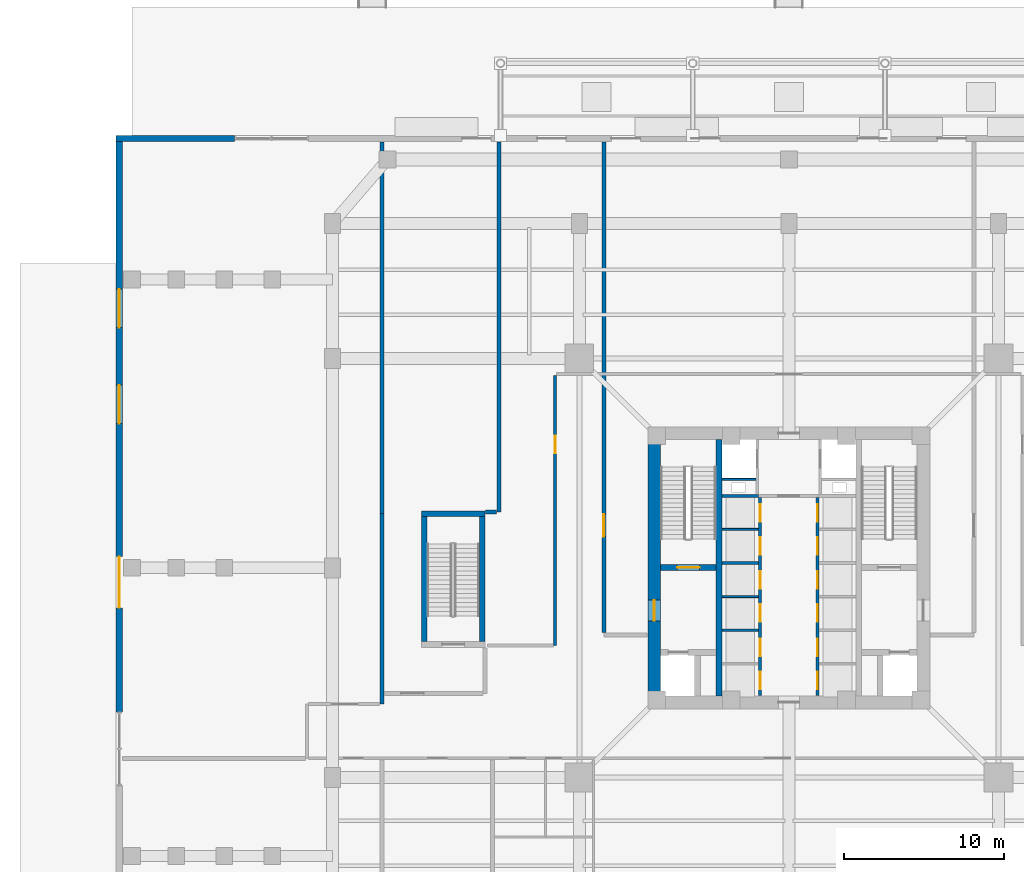
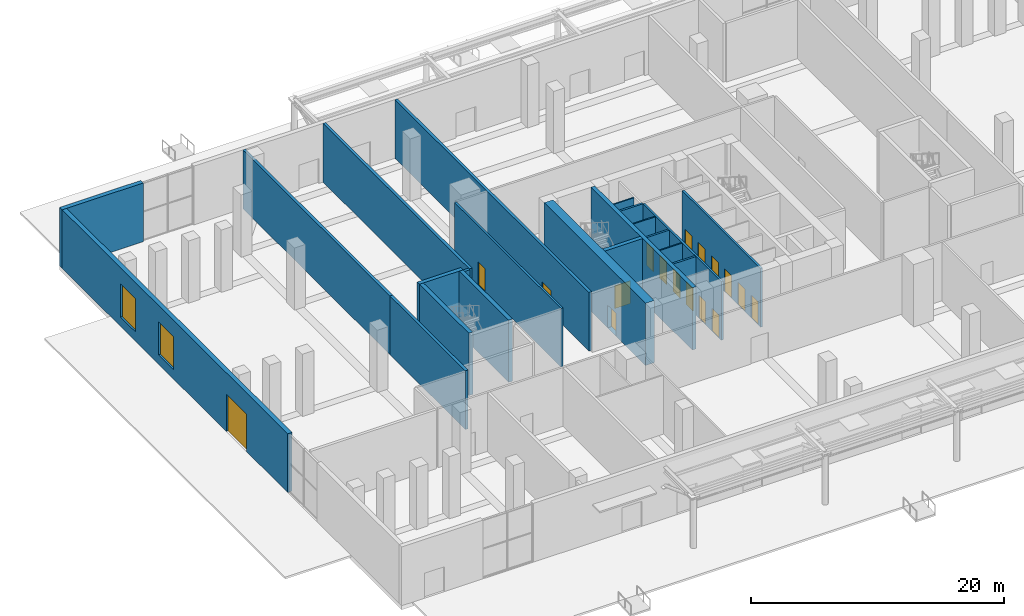
# One storey, part 16 of 25: 22 walls, 17 doors, 2 windows, 19 openings.
"""IFC4 building model written with IfcOpenShell, lengths in metres."""

from ifc_helpers import new_model, si_unit, direction, frame, frame_2d, origin, place, context, subcontext, project, spatial, rectangle, extrude, source, transform, mapped, material, layer, layer_set, type_object, element, fill, save


model = new_model("IFC4")

# Units and contexts
model_context = context("Model", 3, precision=1e-05, world=origin(), true_north=direction((0.0, 1.0)))
body_context = subcontext(model_context, "Body", "Model", "MODEL_VIEW")
ifc_project = project(units=[si_unit("LENGTHUNIT", "METRE"), si_unit("AREAUNIT", "SQUARE_METRE"), si_unit("VOLUMEUNIT", "CUBIC_METRE"), si_unit("PLANEANGLEUNIT", "RADIAN"), si_unit("MASSUNIT", "GRAM", prefix="KILO"), si_unit("THERMODYNAMICTEMPERATUREUNIT", "KELVIN")], contexts=[model_context])

# Site, building, storey
site_placement = place(None, origin())
site = spatial("IfcSite", under=ifc_project, at=site_placement, CompositionType="ELEMENT")
building_placement = place(site_placement, origin())
building = spatial("IfcBuilding", under=site, at=building_placement, Name="Kosmvard Interchange Tower", CompositionType="ELEMENT")
storey_placement = place(building_placement, origin())
storey = spatial("IfcBuildingStorey", under=building, at=storey_placement, Name="L00", CompositionType="ELEMENT", Elevation=0.0)

# Wall, openings, doors
ifc_material_1 = material(Name="Fire-rated gypsum partition system")
ifc_layer_1 = layer(ifc_material_1, 0.179931640625, Name="Fire-rated gypsum partition system")
ifc_layer_set_1 = layer_set([ifc_layer_1], Name="Fire-rated gypsum partition system")
wall_type_1 = type_object("IfcWallType", Name="Corridor & Hotel Compartment Partition 180", PredefinedType="PARTITIONING", material=ifc_layer_set_1)
wall_1_placement = place(storey_placement, frame((-1.7900390625, -7.97998046875, 0.0), z_axis=(0.0, 0.0, 1.0), x_axis=(0.0, 1.0, 0.0)))
wall_1 = element("IfcWall", 1, at=wall_1_placement, inside=storey, type_object=wall_type_1, Name="L00 West Lift Bank Front Wall", PredefinedType="PARTITIONING", context=body_context, shape_type="SweptSolid", body=[
    extrude(rectangle(XDim=12.3798828125, YDim=0.179931640625, at=frame_2d((6.18994140625, 0.0))), origin(), (0.0, 0.0, 1.0), 5.659912109375),
])
opening_1_placement = place(wall_1_placement, frame((0.39990234375, 0.0, 0.0)))
opening_1 = element("IfcOpeningElement", 2, at=opening_1_placement, cuts=wall_1, Name="Opening LD-PL-L1-L00", PredefinedType="OPENING", context=body_context, shape_type="SweptSolid", body=[
    extrude(rectangle(XDim=1.10009765625, YDim=2.199951171875, at=frame_2d((0.550048828125, 1.10009765625))), frame((0.0, 0.10009765625, 0.0), z_axis=(0.0, -1.0, 0.0), x_axis=(1.0, 0.0, 0.0)), (0.0, 0.0, 1.0), 0.199951171875),
])
opening_2_placement = place(wall_1_placement, frame((2.4599609375, 0.0, 0.0)))
opening_2 = element("IfcOpeningElement", 3, at=opening_2_placement, cuts=wall_1, Name="Opening LD-PL-L2-L00", PredefinedType="OPENING", context=body_context, shape_type="SweptSolid", body=[
    extrude(rectangle(XDim=1.10009765625, YDim=2.199951171875, at=frame_2d((0.550048828125, 1.10009765625))), frame((0.0, 0.10009765625, 0.0), z_axis=(0.0, -1.0, 0.0), x_axis=(1.0, 0.0, 0.0)), (0.0, 0.0, 1.0), 0.199951171875),
])
opening_3_placement = place(wall_1_placement, frame((4.60009765625, 0.0, 0.0)))
opening_3 = element("IfcOpeningElement", 4, at=opening_3_placement, cuts=wall_1, Name="Opening LD-PL-M1-L00", PredefinedType="OPENING", context=body_context, shape_type="SweptSolid", body=[
    extrude(rectangle(XDim=1.10009765625, YDim=2.199951171875, at=frame_2d((0.550048828125, 1.10009765625))), frame((0.0, 0.10009765625, 0.0), z_axis=(0.0, -1.0, 0.0), x_axis=(1.0, 0.0, 0.0)), (0.0, 0.0, 1.0), 0.199951171875),
])
opening_4_placement = place(wall_1_placement, frame((6.659912109375, 0.0, 0.0)))
opening_4 = element("IfcOpeningElement", 5, at=opening_4_placement, cuts=wall_1, Name="Opening LD-PL-M2-L00", PredefinedType="OPENING", context=body_context, shape_type="SweptSolid", body=[
    extrude(rectangle(XDim=1.10009765625, YDim=2.199951171875, at=frame_2d((0.550048828125, 1.10009765625))), frame((0.0, 0.10009765625, 0.0), z_axis=(0.0, -1.0, 0.0), x_axis=(1.0, 0.0, 0.0)), (0.0, 0.0, 1.0), 0.199951171875),
])
opening_5_placement = place(wall_1_placement, frame((8.800048828125, 0.0, 0.0)))
opening_5 = element("IfcOpeningElement", 6, at=opening_5_placement, cuts=wall_1, Name="Opening LD-PL-H1-L00", PredefinedType="OPENING", context=body_context, shape_type="SweptSolid", body=[
    extrude(rectangle(XDim=1.10009765625, YDim=2.199951171875, at=frame_2d((0.550048828125, 1.10009765625))), frame((0.0, 0.10009765625, 0.0), z_axis=(0.0, -1.0, 0.0), x_axis=(1.0, 0.0, 0.0)), (0.0, 0.0, 1.0), 0.199951171875),
])
opening_6_placement = place(wall_1_placement, frame((10.860107421875, 0.0, 0.0)))
opening_6 = element("IfcOpeningElement", 7, at=opening_6_placement, cuts=wall_1, Name="Opening LD-PL-H2-L00", PredefinedType="OPENING", context=body_context, shape_type="SweptSolid", body=[
    extrude(rectangle(XDim=1.10009765625, YDim=2.199951171875, at=frame_2d((0.550048828125, 1.10009765625))), frame((0.0, 0.10009765625, 0.0), z_axis=(0.0, -1.0, 0.0), x_axis=(1.0, 0.0, 0.0)), (0.0, 0.0, 1.0), 0.199951171875),
])
ifc_material_2 = material(Name="Brushed stainless steel sliding leaf", Category="steel")
door_type_1 = type_object("IfcDoorType", Name="Passenger Lift Sliding Landing Door 1100x2200 EI60", OperationType="DOUBLE_DOOR_SLIDING", PredefinedType="DOOR", material=ifc_material_2)
shared_shape_1 = source(origin(), body_context, "Body", "SweptSolid", [
    extrude(rectangle(XDim=1.10009765625, YDim=2.199951171875, at=frame_2d((0.550048828125, 1.10009765625))), frame((0.0, 0.02490234375, 0.0), z_axis=(0.0, -1.0, 0.0), x_axis=(1.0, 0.0, 0.0)), (0.0, 0.0, 1.0), 0.050048828125),
])
door_1_placement = place(opening_1_placement, frame((1.10009765625, 0.0, 0.0), z_axis=(0.0, 0.0, 1.0), x_axis=(-1.0, 0.0, 0.0)))
door_1 = element("IfcDoor", 8, at=door_1_placement, inside=storey, type_object=door_type_1, Name="Lift PL-L1 Landing Door L00", OperationType="DOUBLE_DOOR_SLIDING", OverallHeight=2.199951171875, OverallWidth=1.10009765625, PredefinedType="DOOR", context=body_context, shape_type="MappedRepresentation", body=[
    mapped(shared_shape_1, transform((0.0, 0.0, 0.0), scale=1.0)),
])
fill(opening_1, door_1)
door_2_placement = place(opening_2_placement, frame((1.10009765625, 0.0, 0.0), z_axis=(0.0, 0.0, 1.0), x_axis=(-1.0, 0.0, 0.0)))
door_2 = element("IfcDoor", 9, at=door_2_placement, inside=storey, type_object=door_type_1, Name="Lift PL-L2 Landing Door L00", OperationType="DOUBLE_DOOR_SLIDING", OverallHeight=2.199951171875, OverallWidth=1.10009765625, PredefinedType="DOOR", context=body_context, shape_type="MappedRepresentation", body=[
    mapped(shared_shape_1, transform((0.0, 0.0, 0.0), scale=1.0)),
])
fill(opening_2, door_2)
door_3_placement = place(opening_3_placement, frame((1.10009765625, 0.0, 0.0), z_axis=(0.0, 0.0, 1.0), x_axis=(-1.0, 0.0, 0.0)))
door_3 = element("IfcDoor", 10, at=door_3_placement, inside=storey, type_object=door_type_1, Name="Lift PL-M1 Landing Door L00", OperationType="DOUBLE_DOOR_SLIDING", OverallHeight=2.199951171875, OverallWidth=1.10009765625, PredefinedType="DOOR", context=body_context, shape_type="MappedRepresentation", body=[
    mapped(shared_shape_1, transform((0.0, 0.0, 0.0), scale=1.0)),
])
fill(opening_3, door_3)
door_4_placement = place(opening_4_placement, frame((1.10009765625, 0.0, 0.0), z_axis=(0.0, 0.0, 1.0), x_axis=(-1.0, 0.0, 0.0)))
door_4 = element("IfcDoor", 11, at=door_4_placement, inside=storey, type_object=door_type_1, Name="Lift PL-M2 Landing Door L00", OperationType="DOUBLE_DOOR_SLIDING", OverallHeight=2.199951171875, OverallWidth=1.10009765625, PredefinedType="DOOR", context=body_context, shape_type="MappedRepresentation", body=[
    mapped(shared_shape_1, transform((0.0, 0.0, 0.0), scale=1.0)),
])
fill(opening_4, door_4)
door_5_placement = place(opening_5_placement, frame((1.10009765625, 0.0, 0.0), z_axis=(0.0, 0.0, 1.0), x_axis=(-1.0, 0.0, 0.0)))
door_5 = element("IfcDoor", 12, at=door_5_placement, inside=storey, type_object=door_type_1, Name="Lift PL-H1 Landing Door L00", OperationType="DOUBLE_DOOR_SLIDING", OverallHeight=2.199951171875, OverallWidth=1.10009765625, PredefinedType="DOOR", context=body_context, shape_type="MappedRepresentation", body=[
    mapped(shared_shape_1, transform((0.0, 0.0, 0.0), scale=1.0)),
])
fill(opening_5, door_5)
door_6_placement = place(opening_6_placement, frame((1.10009765625, 0.0, 0.0), z_axis=(0.0, 0.0, 1.0), x_axis=(-1.0, 0.0, 0.0)))
door_6 = element("IfcDoor", 13, at=door_6_placement, inside=storey, type_object=door_type_1, Name="Lift PL-H2 Landing Door L00", OperationType="DOUBLE_DOOR_SLIDING", OverallHeight=2.199951171875, OverallWidth=1.10009765625, PredefinedType="DOOR", context=body_context, shape_type="MappedRepresentation", body=[
    mapped(shared_shape_1, transform((0.0, 0.0, 0.0), scale=1.0)),
])
fill(opening_6, door_6)

wall_2_placement = place(storey_placement, frame((1.7900390625, -7.97998046875, 0.0), z_axis=(0.0, 0.0, 1.0), x_axis=(0.0, 1.0, 0.0)))
wall_2 = element("IfcWall", 14, at=wall_2_placement, inside=storey, type_object=wall_type_1, Name="L00 East Lift Bank Front Wall", PredefinedType="PARTITIONING", context=body_context, shape_type="SweptSolid", body=[
    extrude(rectangle(XDim=12.3798828125, YDim=0.179931640625, at=frame_2d((6.18994140625, 0.0))), origin(), (0.0, 0.0, 1.0), 5.659912109375),
])
opening_7_placement = place(wall_2_placement, frame((0.39990234375, 0.0, 0.0)))
opening_7 = element("IfcOpeningElement", 15, at=opening_7_placement, cuts=wall_2, Name="Opening LD-PL-L3-L00", PredefinedType="OPENING", context=body_context, shape_type="SweptSolid", body=[
    extrude(rectangle(XDim=1.10009765625, YDim=2.199951171875, at=frame_2d((0.550048828125, 1.10009765625))), frame((0.0, 0.10009765625, 0.0), z_axis=(0.0, -1.0, 0.0), x_axis=(1.0, 0.0, 0.0)), (0.0, 0.0, 1.0), 0.199951171875),
])
opening_8_placement = place(wall_2_placement, frame((2.4599609375, 0.0, 0.0)))
opening_8 = element("IfcOpeningElement", 16, at=opening_8_placement, cuts=wall_2, Name="Opening LD-PL-L4-L00", PredefinedType="OPENING", context=body_context, shape_type="SweptSolid", body=[
    extrude(rectangle(XDim=1.10009765625, YDim=2.199951171875, at=frame_2d((0.550048828125, 1.10009765625))), frame((0.0, 0.10009765625, 0.0), z_axis=(0.0, -1.0, 0.0), x_axis=(1.0, 0.0, 0.0)), (0.0, 0.0, 1.0), 0.199951171875),
])
opening_9_placement = place(wall_2_placement, frame((4.60009765625, 0.0, 0.0)))
opening_9 = element("IfcOpeningElement", 17, at=opening_9_placement, cuts=wall_2, Name="Opening LD-PL-M3-L00", PredefinedType="OPENING", context=body_context, shape_type="SweptSolid", body=[
    extrude(rectangle(XDim=1.10009765625, YDim=2.199951171875, at=frame_2d((0.550048828125, 1.10009765625))), frame((0.0, 0.10009765625, 0.0), z_axis=(0.0, -1.0, 0.0), x_axis=(1.0, 0.0, 0.0)), (0.0, 0.0, 1.0), 0.199951171875),
])
opening_10_placement = place(wall_2_placement, frame((6.659912109375, 0.0, 0.0)))
opening_10 = element("IfcOpeningElement", 18, at=opening_10_placement, cuts=wall_2, Name="Opening LD-PL-M4-L00", PredefinedType="OPENING", context=body_context, shape_type="SweptSolid", body=[
    extrude(rectangle(XDim=1.10009765625, YDim=2.199951171875, at=frame_2d((0.550048828125, 1.10009765625))), frame((0.0, 0.10009765625, 0.0), z_axis=(0.0, -1.0, 0.0), x_axis=(1.0, 0.0, 0.0)), (0.0, 0.0, 1.0), 0.199951171875),
])
opening_11_placement = place(wall_2_placement, frame((8.800048828125, 0.0, 0.0)))
opening_11 = element("IfcOpeningElement", 19, at=opening_11_placement, cuts=wall_2, Name="Opening LD-PL-H3-L00", PredefinedType="OPENING", context=body_context, shape_type="SweptSolid", body=[
    extrude(rectangle(XDim=1.10009765625, YDim=2.199951171875, at=frame_2d((0.550048828125, 1.10009765625))), frame((0.0, 0.10009765625, 0.0), z_axis=(0.0, -1.0, 0.0), x_axis=(1.0, 0.0, 0.0)), (0.0, 0.0, 1.0), 0.199951171875),
])
opening_12_placement = place(wall_2_placement, frame((10.860107421875, 0.0, 0.0)))
opening_12 = element("IfcOpeningElement", 20, at=opening_12_placement, cuts=wall_2, Name="Opening LD-PL-H4-L00", PredefinedType="OPENING", context=body_context, shape_type="SweptSolid", body=[
    extrude(rectangle(XDim=1.10009765625, YDim=2.199951171875, at=frame_2d((0.550048828125, 1.10009765625))), frame((0.0, 0.10009765625, 0.0), z_axis=(0.0, -1.0, 0.0), x_axis=(1.0, 0.0, 0.0)), (0.0, 0.0, 1.0), 0.199951171875),
])
door_7_placement = place(opening_7_placement, origin())
door_7 = element("IfcDoor", 21, at=door_7_placement, inside=storey, type_object=door_type_1, Name="Lift PL-L3 Landing Door L00", OperationType="DOUBLE_DOOR_SLIDING", OverallHeight=2.199951171875, OverallWidth=1.10009765625, PredefinedType="DOOR", context=body_context, shape_type="MappedRepresentation", body=[
    mapped(shared_shape_1, transform((0.0, 0.0, 0.0), scale=1.0)),
])
fill(opening_7, door_7)
door_8_placement = place(opening_8_placement, origin())
door_8 = element("IfcDoor", 22, at=door_8_placement, inside=storey, type_object=door_type_1, Name="Lift PL-L4 Landing Door L00", OperationType="DOUBLE_DOOR_SLIDING", OverallHeight=2.199951171875, OverallWidth=1.10009765625, PredefinedType="DOOR", context=body_context, shape_type="MappedRepresentation", body=[
    mapped(shared_shape_1, transform((0.0, 0.0, 0.0), scale=1.0)),
])
fill(opening_8, door_8)
door_9_placement = place(opening_9_placement, origin())
door_9 = element("IfcDoor", 23, at=door_9_placement, inside=storey, type_object=door_type_1, Name="Lift PL-M3 Landing Door L00", OperationType="DOUBLE_DOOR_SLIDING", OverallHeight=2.199951171875, OverallWidth=1.10009765625, PredefinedType="DOOR", context=body_context, shape_type="MappedRepresentation", body=[
    mapped(shared_shape_1, transform((0.0, 0.0, 0.0), scale=1.0)),
])
fill(opening_9, door_9)
door_10_placement = place(opening_10_placement, origin())
door_10 = element("IfcDoor", 24, at=door_10_placement, inside=storey, type_object=door_type_1, Name="Lift PL-M4 Landing Door L00", OperationType="DOUBLE_DOOR_SLIDING", OverallHeight=2.199951171875, OverallWidth=1.10009765625, PredefinedType="DOOR", context=body_context, shape_type="MappedRepresentation", body=[
    mapped(shared_shape_1, transform((0.0, 0.0, 0.0), scale=1.0)),
])
fill(opening_10, door_10)
door_11_placement = place(opening_11_placement, origin())
door_11 = element("IfcDoor", 25, at=door_11_placement, inside=storey, type_object=door_type_1, Name="Lift PL-H3 Landing Door L00", OperationType="DOUBLE_DOOR_SLIDING", OverallHeight=2.199951171875, OverallWidth=1.10009765625, PredefinedType="DOOR", context=body_context, shape_type="MappedRepresentation", body=[
    mapped(shared_shape_1, transform((0.0, 0.0, 0.0), scale=1.0)),
])
fill(opening_11, door_11)
door_12_placement = place(opening_12_placement, origin())
door_12 = element("IfcDoor", 26, at=door_12_placement, inside=storey, type_object=door_type_1, Name="Lift PL-H4 Landing Door L00", OperationType="DOUBLE_DOOR_SLIDING", OverallHeight=2.199951171875, OverallWidth=1.10009765625, PredefinedType="DOOR", context=body_context, shape_type="MappedRepresentation", body=[
    mapped(shared_shape_1, transform((0.0, 0.0, 0.0), scale=1.0)),
])
fill(opening_12, door_12)

# Wall, opening, door
wall_3_placement = place(storey_placement, frame((-14.590087890625, -4.860107421875, 0.0), z_axis=(0.0, 0.0, 1.0), x_axis=(0.0, 1.0, 0.0)))
wall_3 = element("IfcWall", 27, at=wall_3_placement, inside=storey, type_object=wall_type_1, Name="L00 Partition W-CLW", PredefinedType="PARTITIONING", context=body_context, shape_type="SweptSolid", body=[
    extrude(rectangle(XDim=16.860107421875, YDim=0.179931640625, at=frame_2d((8.43017578125, 0.0))), origin(), (0.0, 0.0, 1.0), 5.659912109375),
])
opening_13_placement = place(wall_3_placement, frame((12.0, 0.0, 0.0)))
opening_13 = element("IfcOpeningElement", 28, at=opening_13_placement, cuts=wall_3, Name="Opening L00-D11", PredefinedType="OPENING", context=body_context, shape_type="SweptSolid", body=[
    extrude(rectangle(XDim=1.10009765625, YDim=2.199951171875, at=frame_2d((0.550048828125, 1.10009765625))), frame((0.0, 0.10009765625, 0.0), z_axis=(0.0, -1.0, 0.0), x_axis=(1.0, 0.0, 0.0)), (0.0, 0.0, 1.0), 0.199951171875),
])
ifc_material_3 = material(Name="Engineered oak fire-rated timber", Category="wood")
door_type_2 = type_object("IfcDoorType", Name="Office Suite Entrance Door 1100x2200 FD30S", OperationType="NOTDEFINED", PredefinedType="DOOR", material=ifc_material_3)
door_13_placement = place(opening_13_placement, origin())
door_13 = element("IfcDoor", 29, at=door_13_placement, inside=storey, type_object=door_type_2, Name="L00 Interior Door 11", OperationType="SINGLE_SWING_LEFT", OverallHeight=2.199951171875, OverallWidth=1.10009765625, PredefinedType="DOOR", context=body_context, shape_type="MappedRepresentation", body=[
    mapped(shared_shape_1, transform((0.0, 0.0, 0.0), scale=1.0)),
])
fill(opening_13, door_13)

ifc_material_4 = material(Name="Concrete blockwork masonry", Category="masonry")
ifc_layer_2 = layer(ifc_material_4, 0.25, Name="Concrete blockwork masonry")
ifc_layer_set_2 = layer_set([ifc_layer_2], Name="Concrete blockwork masonry")
wall_type_2 = type_object("IfcWallType", Name="Exit Passage & Firefighting Lobby Wall 250", PredefinedType="PARTITIONING", material=ifc_layer_set_2)
wall_4_placement = place(storey_placement, frame((-11.550048828125, -4.050048828125, 0.0), z_axis=(0.0, 0.0, 1.0), x_axis=(0.0, 1.0, 0.0)))
wall_4 = element("IfcWall", 30, at=wall_4_placement, inside=storey, type_object=wall_type_2, Name="L00 Exit Passageway W Wall", PredefinedType="PARTITIONING", context=body_context, shape_type="SweptSolid", body=[
    extrude(rectangle(XDim=30.64794921875, YDim=0.25, at=frame_2d((15.323974609375, 0.0))), origin(), (0.0, 0.0, 1.0), 5.659912109375),
])
opening_14_placement = place(wall_4_placement, frame((6.0, 0.0, 0.0)))
opening_14 = element("IfcOpeningElement", 31, at=opening_14_placement, cuts=wall_4, Name="Opening L00-EPDW", PredefinedType="OPENING", context=body_context, shape_type="SweptSolid", body=[
    extrude(rectangle(XDim=1.39990234375, YDim=2.199951171875, at=frame_2d((0.699951171875, 1.10009765625))), frame((0.0, 0.135009765625, 0.0), z_axis=(0.0, -1.0, 0.0), x_axis=(1.0, 0.0, 0.0)), (0.0, 0.0, 1.0), 0.27001953125),
])
ifc_material_5 = material(Name="Painted fire-rated steel leaf", Category="steel")
door_type_3 = type_object("IfcDoorType", Name="Protected Stair Door 1400x2200 FD60S", OperationType="NOTDEFINED", PredefinedType="DOOR", material=ifc_material_5)
shared_shape_2 = source(origin(), body_context, "Body", "SweptSolid", [
    extrude(rectangle(XDim=1.39990234375, YDim=2.199951171875, at=frame_2d((0.699951171875, 1.10009765625))), frame((0.0, 0.02490234375, 0.0), z_axis=(0.0, -1.0, 0.0), x_axis=(1.0, 0.0, 0.0)), (0.0, 0.0, 1.0), 0.050048828125),
])
door_14_placement = place(opening_14_placement, frame((1.39990234375, 0.0, 0.0), z_axis=(0.0, 0.0, 1.0), x_axis=(-1.0, 0.0, 0.0)))
door_14 = element("IfcDoor", 32, at=door_14_placement, inside=storey, type_object=door_type_3, Name="L00 Concourse to Exit Passageway W Door", OperationType="SINGLE_SWING_LEFT", OverallHeight=2.199951171875, OverallWidth=1.39990234375, PredefinedType="DOOR", context=body_context, shape_type="MappedRepresentation", body=[
    mapped(shared_shape_2, transform((0.0, 0.0, 0.0), scale=1.0)),
])
fill(opening_14, door_14)

# Walls
wall_5_placement = place(storey_placement, frame((-25.39990234375, -8.510009765625, 0.0), z_axis=(0.0, 0.0, 1.0), x_axis=(0.0, 1.0, 0.0)))
element("IfcWall", 33, at=wall_5_placement, inside=storey, type_object=wall_type_2, Name="L00 Partition W-RWS", PredefinedType="PARTITIONING", context=body_context, shape_type="SweptSolid", body=[
    extrude(rectangle(XDim=11.909912109375, YDim=0.25, at=frame_2d((5.955078125, 0.0))), origin(), (0.0, 0.0, 1.0), 5.659912109375),
])
wall_6_placement = place(storey_placement, frame((-25.39990234375, 3.39990234375, 0.0), z_axis=(0.0, 0.0, 1.0), x_axis=(0.0, 1.0, 0.0)))
element("IfcWall", 34, at=wall_6_placement, inside=storey, type_object=wall_type_2, Name="L00 Partition W-RWN", PredefinedType="PARTITIONING", context=body_context, shape_type="SweptSolid", body=[
    extrude(rectangle(XDim=23.197998046875, YDim=0.25, at=frame_2d((11.59912109375, 0.0))), origin(), (0.0, 0.0, 1.0), 5.659912109375),
])
wall_7_placement = place(storey_placement, frame((-18.93994140625, 3.47998046875, 0.0), z_axis=(0.0, 0.0, 1.0), x_axis=(1.0, 0.0, 0.0)))
element("IfcWall", 35, at=wall_7_placement, inside=storey, type_object=wall_type_2, Name="L00 Partition EP3T", PredefinedType="PARTITIONING", context=body_context, shape_type="SweptSolid", body=[
    extrude(rectangle(XDim=0.699951171875, YDim=0.25, at=frame_2d((0.35009765625, 0.0))), origin(), (0.0, 0.0, 1.0), 5.659912109375),
])
wall_8_placement = place(storey_placement, frame((-18.10009765625, 3.47998046875, 0.0), z_axis=(0.0, 0.0, 1.0), x_axis=(0.0, 1.0, 0.0)))
element("IfcWall", 36, at=wall_8_placement, inside=storey, type_object=wall_type_2, Name="L00 Partition EP3N", PredefinedType="PARTITIONING", context=body_context, shape_type="SweptSolid", body=[
    extrude(rectangle(XDim=23.117919921875, YDim=0.25, at=frame_2d((11.55908203125, 0.0))), origin(), (0.0, 0.0, 1.0), 5.659912109375),
])

# Wall, opening, door
ifc_material_6 = material(Name="Concrete C80/95", Category="concrete")
ifc_layer_3 = layer(ifc_material_6, 0.800048828125, Name="Concrete C80/95")
ifc_layer_set_3 = layer_set([ifc_layer_3], Name="Concrete C80/95")
wall_type_3 = type_object("IfcWallType", Name="Lower Core Shear Wall 800 C80/95", PredefinedType="SHEAR", material=ifc_layer_set_3)
wall_9_placement = place(storey_placement, frame((-8.39990234375, -8.0, 0.0), z_axis=(0.0, 0.0, 1.0), x_axis=(0.0, 1.0, 0.0)))
wall_9 = element("IfcWall", 37, at=wall_9_placement, inside=storey, type_object=wall_type_3, Name="L00 Core Shear Wall CW-W", PredefinedType="SHEAR", context=body_context, shape_type="SweptSolid", body=[
    extrude(rectangle(XDim=16.0, YDim=0.800048828125, at=frame_2d((8.0, 0.0))), origin(), (0.0, 0.0, 1.0), 6.0),
])
opening_15_placement = place(wall_9_placement, frame((4.68994140625, 0.0, 0.0)))
opening_15 = element("IfcOpeningElement", 38, at=opening_15_placement, cuts=wall_9, Name="Opening L00-FD1", PredefinedType="OPENING", context=body_context, shape_type="SweptSolid", body=[
    extrude(rectangle(XDim=1.300048828125, YDim=2.199951171875, at=frame_2d((0.64990234375, 1.10009765625))), frame((0.0, 0.41015625, 0.0), z_axis=(0.0, -1.0, 0.0), x_axis=(1.0, 0.0, 0.0)), (0.0, 0.0, 1.0), 0.820068359375),
])
door_type_4 = type_object("IfcDoorType", Name="Firefighting Lobby Door 1300x2200 EI60", OperationType="NOTDEFINED", PredefinedType="DOOR", material=ifc_material_5)
shared_shape_3 = source(origin(), body_context, "Body", "SweptSolid", [
    extrude(rectangle(XDim=1.300048828125, YDim=2.199951171875, at=frame_2d((0.64990234375, 1.10009765625))), frame((0.0, 0.02490234375, 0.0), z_axis=(0.0, -1.0, 0.0), x_axis=(1.0, 0.0, 0.0)), (0.0, 0.0, 1.0), 0.050048828125),
])
door_15_placement = place(opening_15_placement, origin())
door_15 = element("IfcDoor", 39, at=door_15_placement, inside=storey, type_object=door_type_4, Name="L00 Firefighting Lobby West Door", OperationType="SINGLE_SWING_LEFT", OverallHeight=2.199951171875, OverallWidth=1.300048828125, PredefinedType="DOOR", context=body_context, shape_type="MappedRepresentation", body=[
    mapped(shared_shape_3, transform((0.0, 0.0, 0.0), scale=1.0)),
])
fill(opening_15, door_15)

# Wall
ifc_material_7 = material(Name="Precast concrete C45/55", Category="concrete")
ifc_layer_4 = layer(ifc_material_7, 0.39990234375, Name="Precast concrete C45/55")
ifc_layer_set_4 = layer_set([ifc_layer_4], Name="Precast concrete C45/55")
wall_type_4 = type_object("IfcWallType", Name="Podium Precast Stone Pier Wall 400 C45/55", PredefinedType="STANDARD", material=ifc_layer_set_4)
wall_10_placement = place(storey_placement, frame((-42.0, 26.800048828125, 0.0), z_axis=(0.0, 0.0, 1.0), x_axis=(1.0, 0.0, 0.0)))
element("IfcWall", 40, at=wall_10_placement, inside=storey, type_object=wall_type_4, Name="L00 Exterior Precast Wall EW-N1", PredefinedType="STANDARD", context=body_context, shape_type="SweptSolid", body=[
    extrude(rectangle(XDim=7.39990234375, YDim=0.39990234375, at=frame_2d((3.699951171875, 0.0))), origin(), (0.0, 0.0, 1.0), 5.659912109375),
])

# Wall, openings, windows, door
wall_11_placement = place(storey_placement, frame((-41.800048828125, -9.0, 0.0), z_axis=(0.0, 0.0, 1.0), x_axis=(0.0, 1.0, 0.0)))
wall_11 = element("IfcWall", 41, at=wall_11_placement, inside=storey, type_object=wall_type_4, Name="L00 Exterior Precast Wall EW-W2", PredefinedType="STANDARD", context=body_context, shape_type="SweptSolid", body=[
    extrude(rectangle(XDim=35.60009765625, YDim=0.39990234375, at=frame_2d((17.800048828125, 0.0))), origin(), (0.0, 0.0, 1.0), 5.659912109375),
])
opening_16_placement = place(wall_11_placement, frame((18.0, 0.0, 0.89990234375)))
opening_16 = element("IfcOpeningElement", 42, at=opening_16_placement, cuts=wall_11, Name="Opening L00-AW1", PredefinedType="OPENING", context=body_context, shape_type="SweptSolid", body=[
    extrude(rectangle(XDim=2.39990234375, YDim=3.199951171875, at=frame_2d((1.199951171875, 1.60009765625))), frame((0.0, 0.2099609375, 0.0), z_axis=(0.0, -1.0, 0.0), x_axis=(1.0, 0.0, 0.0)), (0.0, 0.0, 1.0), 0.419921875),
])
opening_17_placement = place(wall_11_placement, frame((24.0, 0.0, 0.89990234375)))
opening_17 = element("IfcOpeningElement", 43, at=opening_17_placement, cuts=wall_11, Name="Opening L00-AW2", PredefinedType="OPENING", context=body_context, shape_type="SweptSolid", body=[
    extrude(rectangle(XDim=2.39990234375, YDim=3.199951171875, at=frame_2d((1.199951171875, 1.60009765625))), frame((0.0, 0.2099609375, 0.0), z_axis=(0.0, -1.0, 0.0), x_axis=(1.0, 0.0, 0.0)), (0.0, 0.0, 1.0), 0.419921875),
])
opening_18_placement = place(wall_11_placement, frame((6.5, 0.0, 0.0)))
opening_18 = element("IfcOpeningElement", 44, at=opening_18_placement, cuts=wall_11, Name="Opening GT-06", PredefinedType="OPENING", context=body_context, shape_type="SweptSolid", body=[
    extrude(rectangle(XDim=3.199951171875, YDim=3.60009765625, at=frame_2d((1.60009765625, 1.800048828125))), frame((0.0, 0.2099609375, 0.0), z_axis=(0.0, -1.0, 0.0), x_axis=(1.0, 0.0, 0.0)), (0.0, 0.0, 1.0), 0.419921875),
])
ifc_material_8 = material(Name="Low-E solar-control double glazing", Category="glass")
window_type = type_object("IfcWindowType", Name="Podium Arcade Punched Window 2400x3200", PartitioningType="SINGLE_PANEL", PredefinedType="WINDOW", material=ifc_material_8)
shared_shape_4 = source(origin(), body_context, "Body", "SweptSolid", [
    extrude(rectangle(XDim=2.39990234375, YDim=3.199951171875, at=frame_2d((1.199951171875, 1.60009765625))), frame((0.0, 0.030029296875, 0.0), z_axis=(0.0, -1.0, 0.0), x_axis=(1.0, 0.0, 0.0)), (0.0, 0.0, 1.0), 0.06005859375),
])
window_1_placement = place(opening_16_placement, origin())
window_1 = element("IfcWindow", 45, at=window_1_placement, inside=storey, type_object=window_type, Name="L00 Concourse Arcade Window 1", OverallHeight=3.199951171875, OverallWidth=2.39990234375, PartitioningType="SINGLE_PANEL", PredefinedType="WINDOW", context=body_context, shape_type="MappedRepresentation", body=[
    mapped(shared_shape_4, transform((0.0, 0.0, 0.0), scale=1.0)),
])
fill(opening_16, window_1)
window_2_placement = place(opening_17_placement, origin())
window_2 = element("IfcWindow", 46, at=window_2_placement, inside=storey, type_object=window_type, Name="L00 Concourse Arcade Window 2", OverallHeight=3.199951171875, OverallWidth=2.39990234375, PartitioningType="SINGLE_PANEL", PredefinedType="WINDOW", context=body_context, shape_type="MappedRepresentation", body=[
    mapped(shared_shape_4, transform((0.0, 0.0, 0.0), scale=1.0)),
])
fill(opening_17, window_2)
ifc_material_9 = material(Name="Galvanised insulated steel gate", Category="steel")
door_type_5 = type_object("IfcDoorType", Name="Loading & Plant Bay Service Gate 3200x3600", OperationType="NOTDEFINED", PredefinedType="GATE", material=ifc_material_9)
shared_shape_5 = source(origin(), body_context, "Body", "SweptSolid", [
    extrude(rectangle(XDim=3.199951171875, YDim=3.60009765625, at=frame_2d((1.60009765625, 1.800048828125))), frame((0.0, 0.02490234375, 0.0), z_axis=(0.0, -1.0, 0.0), x_axis=(1.0, 0.0, 0.0)), (0.0, 0.0, 1.0), 0.050048828125),
])
door_16_placement = place(opening_18_placement, origin())
door_16 = element("IfcDoor", 47, at=door_16_placement, inside=storey, type_object=door_type_5, Name="L00 Service Bay Gate 6", OperationType="SINGLE_SWING_RIGHT", OverallHeight=3.60009765625, OverallWidth=3.199951171875, PredefinedType="GATE", context=body_context, shape_type="MappedRepresentation", body=[
    mapped(shared_shape_5, transform((0.0, 0.0, 0.0), scale=1.0)),
])
fill(opening_18, door_16)

# Walls
ifc_layer_5 = layer(ifc_material_4, 0.179931640625, Name="Concrete blockwork masonry")
ifc_layer_set_5 = layer_set([ifc_layer_5], Name="Concrete blockwork masonry")
wall_type_5 = type_object("IfcWallType", Name="Riser & Lift Bank Divider Wall 180", PredefinedType="PARTITIONING", material=ifc_layer_set_5)
for number, where, z_axis, x_axis, name in (
    (48, (-4.169921875, -3.89990234375, 0.0), (0.0, 0.0, 1.0), (1.0, 0.0, 0.0), "L00 West Bank Divider BD1"),
    (49, (-4.169921875, 0.300048828125, 0.0), (0.0, 0.0, 1.0), (1.0, 0.0, 0.0), "L00 West Bank Divider BD2"),
    (50, (-4.169921875, 4.489990234375, 0.0), (0.0, 0.0, 1.0), (1.0, 0.0, 0.0), "L00 West Bank Divider BD3"),
):
    element("IfcWall", number, at=place(storey_placement, frame(where, z_axis=z_axis, x_axis=x_axis)), inside=storey, type_object=wall_type_5, Name=name, PredefinedType="PARTITIONING", context=body_context, shape_type="SweptSolid", body=[
        extrude(rectangle(XDim=2.280029296875, YDim=0.179931640625, at=frame_2d((1.14013671875, 0.0))), origin(), (0.0, 0.0, 1.0), 5.659912109375),
    ])
ifc_material_10 = material(Name="Fire-rated gypsum shaftwall system")
ifc_layer_6 = layer(ifc_material_10, 0.1201171875, Name="Fire-rated gypsum shaftwall system")
ifc_layer_set_6 = layer_set([ifc_layer_6], Name="Fire-rated gypsum shaftwall system")
wall_type_6 = type_object("IfcWallType", Name="Shaft & Riser Fire Partition 120 EI60", PredefinedType="PARTITIONING", material=ifc_layer_set_6)
for number, where, z_axis, x_axis, name in (
    (51, (-4.159912109375, -1.800048828125, 0.0), (0.0, 0.0, 1.0), (1.0, 0.0, 0.0), "L00 Shaft Divider PL-M1"),
    (52, (-4.159912109375, 2.39990234375, 0.0), (0.0, 0.0, 1.0), (1.0, 0.0, 0.0), "L00 Shaft Divider PL-H1"),
):
    element("IfcWall", number, at=place(storey_placement, frame(where, z_axis=z_axis, x_axis=x_axis)), inside=storey, type_object=wall_type_6, Name=name, PredefinedType="PARTITIONING", context=body_context, shape_type="SweptSolid", body=[
        extrude(rectangle(XDim=2.260009765625, YDim=0.1201171875, at=frame_2d((1.1298828125, 0.0))), origin(), (0.0, 0.0, 1.0), 5.659912109375),
    ])
wall_12_placement = place(storey_placement, frame((-4.159912109375, 5.52001953125, 0.0), z_axis=(0.0, 0.0, 1.0), x_axis=(1.0, 0.0, 0.0)))
element("IfcWall", 53, at=wall_12_placement, inside=storey, type_object=wall_type_6, Name="L00 Riser Shaft Divider W", PredefinedType="PARTITIONING", context=body_context, shape_type="SweptSolid", body=[
    extrude(rectangle(XDim=2.099853515625, YDim=0.1201171875, at=frame_2d((1.0498046875, 0.0))), origin(), (0.0, 0.0, 1.0), 5.659912109375),
])
ifc_material_11 = material(Name="Concrete C60/75", Category="concrete")
ifc_layer_7 = layer(ifc_material_11, 0.360107421875, Name="Concrete C60/75")
ifc_layer_set_7 = layer_set([ifc_layer_7], Name="Concrete C60/75")
wall_type_7 = type_object("IfcWallType", Name="Stair & Lift Shaft Shear Wall 360 C60/75", PredefinedType="SHEAR", material=ifc_layer_set_7)
wall_13_placement = place(storey_placement, frame((-4.360107421875, -8.0, 0.0), z_axis=(0.0, 0.0, 1.0), x_axis=(0.0, 1.0, 0.0)))
element("IfcWall", 54, at=wall_13_placement, inside=storey, type_object=wall_type_7, Name="L00 Shaft Shear Wall SW-W", PredefinedType="SHEAR", context=body_context, shape_type="SweptSolid", body=[
    extrude(rectangle(XDim=16.0, YDim=0.360107421875, at=frame_2d((8.0, 0.0))), origin(), (0.0, 0.0, 1.0), 6.0),
])

# Wall, opening, door
wall_14_placement = place(storey_placement, frame((-8.0, 0.02001953125, 0.0), z_axis=(0.0, 0.0, 1.0), x_axis=(1.0, 0.0, 0.0)))
wall_14 = element("IfcWall", 55, at=wall_14_placement, inside=storey, type_object=wall_type_7, Name="L00 Shaft Shear Wall SW-ST1", PredefinedType="SHEAR", context=body_context, shape_type="SweptSolid", body=[
    extrude(rectangle(XDim=3.4599609375, YDim=0.360107421875, at=frame_2d((1.72998046875, 0.0))), origin(), (0.0, 0.0, 1.0), 6.0),
])
opening_19_placement = place(wall_14_placement, frame((1.030029296875, 0.0, 0.0)))
opening_19 = element("IfcOpeningElement", 56, at=opening_19_placement, cuts=wall_14, Name="Opening L00-SD1", PredefinedType="OPENING", context=body_context, shape_type="SweptSolid", body=[
    extrude(rectangle(XDim=1.39990234375, YDim=2.199951171875, at=frame_2d((0.699951171875, 1.10009765625))), frame((0.0, 0.18994140625, 0.0), z_axis=(0.0, -1.0, 0.0), x_axis=(1.0, 0.0, 0.0)), (0.0, 0.0, 1.0), 0.380126953125),
])
door_17_placement = place(opening_19_placement, frame((1.39990234375, 0.0, 0.0), z_axis=(0.0, 0.0, 1.0), x_axis=(-1.0, 0.0, 0.0)))
door_17 = element("IfcDoor", 57, at=door_17_placement, inside=storey, type_object=door_type_3, Name="L00 Stair ST-1 Enclosure Door", OperationType="SINGLE_SWING_LEFT", OverallHeight=2.199951171875, OverallWidth=1.39990234375, PredefinedType="DOOR", context=body_context, shape_type="MappedRepresentation", body=[
    mapped(shared_shape_2, transform((0.0, 0.0, 0.0), scale=1.0)),
])
fill(opening_19, door_17)

# Walls
wall_15_placement = place(storey_placement, frame((-22.93994140625, 3.3798828125, 0.0), z_axis=(0.0, 0.0, 1.0), x_axis=(1.0, 0.0, 0.0)))
element("IfcWall", 58, at=wall_15_placement, inside=storey, type_object=wall_type_7, Name="L00 Podium Stair Shear Wall ST3N", PredefinedType="SHEAR", context=body_context, shape_type="SweptSolid", body=[
    extrude(rectangle(XDim=3.97998046875, YDim=0.360107421875, at=frame_2d((1.989990234375, 0.0))), origin(), (0.0, 0.0, 1.0), 6.0),
])
for number, where, z_axis, x_axis, name in (
    (59, (-22.760009765625, -4.60009765625, 0.0), (0.0, 0.0, 1.0), (0.0, 1.0, 0.0), "L00 Podium Stair Shear Wall ST3W"),
    (60, (-19.139892578125, -4.60009765625, 0.0), (0.0, 0.0, 1.0), (0.0, 1.0, 0.0), "L00 Podium Stair Shear Wall ST3E"),
):
    element("IfcWall", number, at=place(storey_placement, frame(where, z_axis=z_axis, x_axis=x_axis)), inside=storey, type_object=wall_type_7, Name=name, PredefinedType="SHEAR", context=body_context, shape_type="SweptSolid", body=[
        extrude(rectangle(XDim=7.800048828125, YDim=0.360107421875, at=frame_2d((3.89990234375, 0.0))), origin(), (0.0, 0.0, 1.0), 6.0),
    ])

save(model, "model.ifc")
